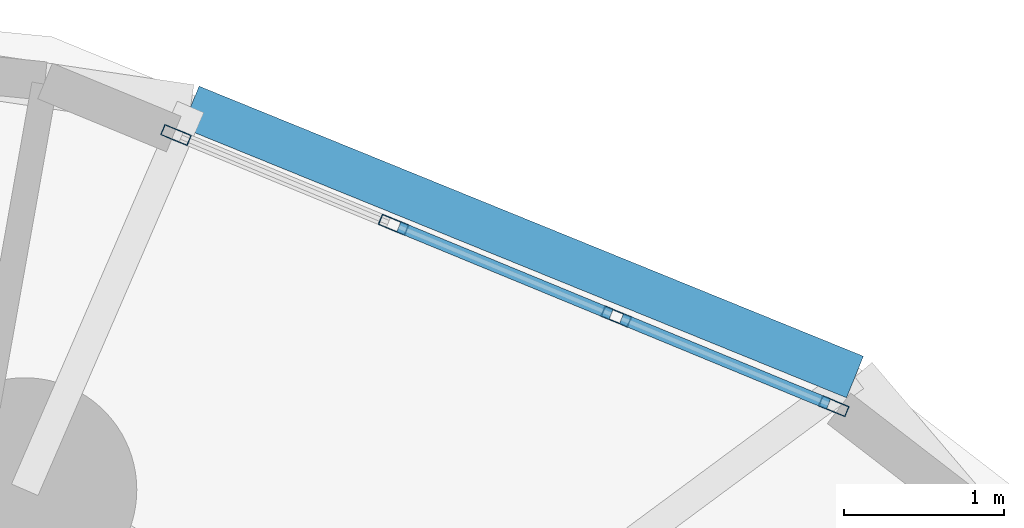
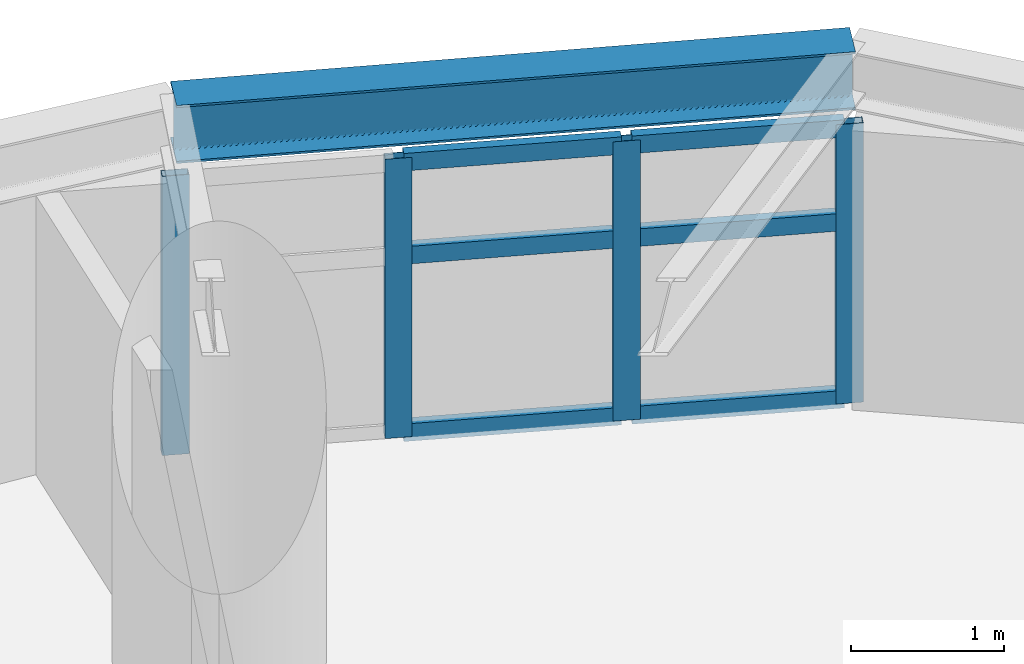
# One storey, part 7 of 19: 10 members, 1 beam, 1 element without a shape of its own.
"""IFC4 building model written with IfcOpenShell, lengths in metres."""

import ifcopenshell
import ifcopenshell.guid

model = None  # the IFC model being written
_history = None  # IfcOwnerHistory: only IFC2X3 demands one
_inside = {}  # id of a spatial element -> (the spatial element, [elements in it])
_under = {}  # id of a project, library or spatial element -> (it, [spatial elements below it])
_declared = {}  # id of a project -> (the project, [libraries it declares])
_typed = {}  # id of a type object -> (the type object, [elements of that type])
_made_of = {}  # id of a material, layer set ... -> (it, [elements and type objects made of it])


def new_model(schema):
    """Start an empty IFC model of exactly this schema.

    Asked for "IFC4X3", IfcOpenShell would pick the latest addendum, in which some entities
    have other attributes; the version numbers below select the first issue.
    IFC2X3 requires an IfcOwnerHistory on every rooted entity: one is made here for all.
    """
    global model, _history
    if schema == "IFC4X3":
        model = ifcopenshell.file(schema_version=(4, 3, 0, 0))
    else:
        model = ifcopenshell.file(schema=schema)
    _inside.clear()
    _under.clear()
    _declared.clear()
    _typed.clear()
    _made_of.clear()
    _history = None
    if model.schema == "IFC2X3":
        org = make("IfcOrganization", Name="unknown")
        user = make(
            "IfcPersonAndOrganization",
            ThePerson=make("IfcPerson", FamilyName="unknown"),
            TheOrganization=org,
        )
        app = make(
            "IfcApplication",
            ApplicationDeveloper=org,
            Version="unknown",
            ApplicationFullName="unknown",
            ApplicationIdentifier="unknown",
        )
        _history = make(
            "IfcOwnerHistory",
            OwningUser=user,
            OwningApplication=app,
            ChangeAction="ADDED",
            CreationDate=0,
        )
    return model


def make(cls, **values):
    """One entity of the class cls with the attributes given. An attribute that is None is left unset."""
    return model.create_entity(
        cls, **{name: value for name, value in values.items() if value is not None}
    )


def rooted(cls, **values):
    """An entity with a GlobalId (a new one), such as an element, a storey or a relation."""
    return make(cls, GlobalId=ifcopenshell.guid.new(), OwnerHistory=_history, **values)


def si_unit(unit_type, name, prefix=None):
    """IfcSIUnit, for example si_unit("LENGTHUNIT", "METRE", prefix="MILLI")."""
    return make("IfcSIUnit", UnitType=unit_type, Prefix=prefix, Name=name)


def assignment(units):
    """IfcUnitAssignment: the units of a project."""
    return None if units is None else make("IfcUnitAssignment", Units=units)


def point(xyz):
    """IfcCartesianPoint."""
    return None if xyz is None else make("IfcCartesianPoint", Coordinates=xyz)


def direction(xyz):
    """IfcDirection."""
    return None if xyz is None else make("IfcDirection", DirectionRatios=xyz)


def frame(location, z_axis=None, x_axis=None):
    """IfcAxis2Placement3D, a coordinate frame: its origin and axes. An axis left out is left unset."""
    return make(
        "IfcAxis2Placement3D",
        Location=point(location),
        Axis=direction(z_axis),
        RefDirection=direction(x_axis),
    )


def frame_2d(location, x_axis=None):
    """IfcAxis2Placement2D, a coordinate frame in the plane: its origin and x axis."""
    return make(
        "IfcAxis2Placement2D", Location=point(location), RefDirection=direction(x_axis)
    )


def origin():
    """The frame at (0, 0, 0) with its axes left unset."""
    return frame((0.0, 0.0, 0.0))


def origin_2d():
    """The frame at (0, 0) in the plane with its x axis left unset."""
    return frame_2d((0.0, 0.0))


def place(relative_to, where):
    """IfcLocalPlacement: puts the frame where relative to a parent placement (None: the world)."""
    return make(
        "IfcLocalPlacement", PlacementRelTo=relative_to, RelativePlacement=where
    )


def context(
    kind, dimensions, precision=None, world=None, true_north=None, identifier=None
):
    """IfcGeometricRepresentationContext, for example the 3D "Model" context."""
    return make(
        "IfcGeometricRepresentationContext",
        ContextIdentifier=identifier,
        ContextType=kind,
        CoordinateSpaceDimension=dimensions,
        Precision=precision,
        WorldCoordinateSystem=world,
        TrueNorth=true_north,
    )


def subcontext(parent, identifier, kind, view, scale=None):
    """IfcGeometricRepresentationSubContext, for example "Body" below "Model"."""
    return make(
        "IfcGeometricRepresentationSubContext",
        ContextIdentifier=identifier,
        ContextType=kind,
        ParentContext=parent,
        TargetScale=scale,
        TargetView=view,
    )


def project(units=None, contexts=None):
    """IfcProject with its units and contexts."""
    return rooted(
        "IfcProject",
        Name="project",
        RepresentationContexts=contexts,
        UnitsInContext=assignment(units),
    )


def spatial(cls, under=None, at=None, **own):
    """A site, building, storey or space (cls), placed at a placement, below another one or the project."""
    s = rooted(cls, ObjectPlacement=at, **own)
    if under is not None:
        _under.setdefault(under.id(), (under, []))[1].append(s)
    return s


def profile(cls, at=None, kind="AREA", **sizes):
    """A parametric profile (cls). Its sizes go by their IFC names, for example OverallWidth=200.0."""
    return make(cls, ProfileType=kind, Position=at, **sizes)


def hollow_rectangle(**sizes):
    """IfcRectangleHollowProfileDef."""
    return profile("IfcRectangleHollowProfileDef", **sizes)


def i_section(**sizes):
    """IfcIShapeProfileDef."""
    return profile("IfcIShapeProfileDef", **sizes)


def extrude(swept, where, along, depth):
    """IfcExtrudedAreaSolid: the profile swept, set in the frame where, extruded along a direction by depth."""
    return make(
        "IfcExtrudedAreaSolid",
        SweptArea=swept,
        Position=where,
        ExtrudedDirection=direction(along),
        Depth=depth,
    )


def shape(context_of_items, identifier, shape_type, items):
    """IfcShapeRepresentation: the items that make up one representation, for example the "Body"."""
    return make(
        "IfcShapeRepresentation",
        ContextOfItems=context_of_items,
        RepresentationIdentifier=identifier,
        RepresentationType=shape_type,
        Items=items,
    )


def material(Name=None, Category=None):
    """IfcMaterial."""
    return make("IfcMaterial", Name=Name, Category=Category)


def layer(
    of_material, thickness, ventilated=None, Name=None, Category=None, Priority=None
):
    """IfcMaterialLayer: one layer of a wall or slab, of a material (None: an air gap)."""
    return make(
        "IfcMaterialLayer",
        Material=of_material,
        LayerThickness=thickness,
        IsVentilated=ventilated,
        Name=Name,
        Category=Category,
        Priority=Priority,
    )


def layer_set(layers, Name=None):
    """IfcMaterialLayerSet."""
    return make("IfcMaterialLayerSet", MaterialLayers=layers, LayerSetName=Name)


def material_profile(
    of_material, cross_section, Name=None, Category=None, Priority=None
):
    """IfcMaterialProfile: a cross section and its material."""
    return make(
        "IfcMaterialProfile",
        Name=Name,
        Material=of_material,
        Profile=cross_section,
        Priority=Priority,
        Category=Category,
    )


def profile_set(profiles, Name=None, composite=None):
    """IfcMaterialProfileSet."""
    return make(
        "IfcMaterialProfileSet",
        Name=Name,
        MaterialProfiles=profiles,
        CompositeProfile=composite,
    )


def made_of(thing, what):
    """Note that an element or type object is made of a material, layer set ...; save() writes the relation."""
    if what is not None:
        _made_of.setdefault(what.id(), (what, []))[1].append(thing)
    return thing


def type_object(cls, material=None, **own):
    """A type object (cls), such as IfcWallType, which elements share."""
    return made_of(rooted(cls, **own), material)


def element(
    cls,
    number,
    at=None,
    inside=None,
    cuts=None,
    type_object=None,
    material=None,
    context=None,
    identifier="Body",
    shape_type=None,
    held_by="IfcProductDefinitionShape",
    body=None,
    shapes=None,
    **own,
):
    """One element of the class cls, such as IfcWall. Its Tag is "e" and its number.

    at: its placement. inside: the storey or other place that contains it. cuts: it is an
    opening in that element (IfcRelVoidsElement). A single representation is given by context,
    identifier, shape_type and body (its items); several are given by shapes. held_by: the class
    of the entity that holds the representations. save() writes the other relations.
    """
    e = rooted(cls, Tag="e%d" % number, ObjectPlacement=at, **own)
    if body is not None:
        shapes = [shape(context, identifier, shape_type, body)]
    if shapes is not None:
        e.Representation = make(held_by, Representations=shapes)
    if inside is not None:
        _inside.setdefault(inside.id(), (inside, []))[1].append(e)
    if cuts is not None:
        rooted(
            "IfcRelVoidsElement", RelatingBuildingElement=cuts, RelatedOpeningElement=e
        )
    if type_object is not None:
        _typed.setdefault(type_object.id(), (type_object, []))[1].append(e)
    return made_of(e, material)


def aggregate(whole, parts):
    """IfcRelAggregates: a whole, such as a stair, and the parts it consists of."""
    return rooted("IfcRelAggregates", RelatingObject=whole, RelatedObjects=parts)


def save(model, path):
    """Write the relations noted so far, then the file.

    IfcRelAggregates (storeys below a building ...), IfcRelContainedInSpatialStructure (elements
    in a storey), IfcRelDefinesByType, IfcRelAssociatesMaterial and IfcRelDeclares: one each for
    every whole, place, type object, material and project.
    """
    for whole, parts in _under.values():
        aggregate(whole, parts)
    for where, things in _inside.values():
        rooted(
            "IfcRelContainedInSpatialStructure",
            RelatedElements=things,
            RelatingStructure=where,
        )
    for kind, things in _typed.values():
        rooted("IfcRelDefinesByType", RelatedObjects=things, RelatingType=kind)
    for what, things in _made_of.values():
        rooted("IfcRelAssociatesMaterial", RelatedObjects=things, RelatingMaterial=what)
    for by, libraries in _declared.values():
        rooted("IfcRelDeclares", RelatingContext=by, RelatedDefinitions=libraries)
    model.write(path)


model = new_model("IFC4")

# Units and contexts
model_context = context("Model", 3, precision=1e-05, world=origin(), true_north=direction((0.0, 1.0)))
body_context = subcontext(model_context, "Body", "Model", "MODEL_VIEW")
ifc_project = project(units=[si_unit("LENGTHUNIT", "METRE"), si_unit("AREAUNIT", "SQUARE_METRE"), si_unit("VOLUMEUNIT", "CUBIC_METRE"), si_unit("PLANEANGLEUNIT", "RADIAN"), si_unit("MASSUNIT", "GRAM", prefix="KILO")], contexts=[model_context])

# Site, building, storey
site_placement = place(None, origin())
site = spatial("IfcSite", under=ifc_project, at=site_placement, CompositionType="ELEMENT")
building_placement = place(site_placement, origin())
building = spatial("IfcBuilding", under=site, at=building_placement, Name="Cununo Teusaquillo Station Towers", CompositionType="ELEMENT")
storey_placement = place(building_placement, frame((0.0, 0.0, 144.0400390625)))
storey = spatial("IfcBuildingStorey", under=building, at=storey_placement, Name="L45", CompositionType="ELEMENT", Elevation=144.0400390625)

# Beam
ifc_material_1 = material(Name="Steel ASTM A572 Grade 50", Category="steel")
ifc_material_profile_1 = material_profile(ifc_material_1, i_section(OverallWidth=0.280029296875, OverallDepth=0.462890625, WebThickness=0.0107421875, FlangeThickness=0.017333984375, FilletRadius=0.013916015625, at=origin_2d()), Name="W18X76")
ifc_profile_set_1 = profile_set([ifc_material_profile_1], Name="Steel ASTM A572 Grade 50")
beam_type = type_object("IfcBeamType", Name="BM-RING-Z2", PredefinedType="SPANDREL", material=ifc_profile_set_1)
beam_placement = place(storey_placement, frame((63.478271484375, 38.340087890625, 2.488525390625), z_axis=(-0.926380466449, 0.376588942192, 0.0), x_axis=(-0.376588942192, -0.926380466449, 0.0)))
element("IfcBeam", 1, at=beam_placement, inside=storey, type_object=beam_type, Name="L45 Tower B Spandrel Ring Beam 02", PredefinedType="SPANDREL", context=body_context, shape_type="SweptSolid", body=[
    extrude(i_section(OverallWidth=0.280029296875, OverallDepth=0.462890625, WebThickness=0.0107421875, FlangeThickness=0.017333984375, FilletRadius=0.013916015625, at=origin_2d()), origin(), (0.0, 0.0, 1.0), 4.48095703125),
])

# Curtain wall, members
ifc_material_2 = material(Name="Ceramic-fritted dark low-E double glazing", Category="glass")
ifc_layer = layer(ifc_material_2, 0.179931640625)
ifc_layer_set = layer_set([ifc_layer], Name="Ceramic-fritted dark low-E double glazing")
curtain_wall_type = type_object("IfcCurtainWallType", Name="CW-SYS-04", PredefinedType="USERDEFINED", material=ifc_layer_set)
curtain_wall_placement = place(storey_placement, origin())
curtain_wall = element("IfcCurtainWall", 2, at=curtain_wall_placement, inside=storey, type_object=curtain_wall_type, Name="L45 Tower B Facade Curtain Wall C01", ObjectType="FRITTED GLAZING", PredefinedType="USERDEFINED")
ifc_material_3 = material(Name="Anodised dark bronze aluminium EN AW-6063-T6", Category="aluminium")
ifc_material_profile_2 = material_profile(ifc_material_3, hollow_rectangle(XDim=0.070068359375, YDim=0.179931640625, WallThickness=0.00390625, at=origin_2d()), Name="CW-MULL-70x180")
ifc_profile_set_2 = profile_set([ifc_material_profile_2], Name="Anodised dark bronze aluminium EN AW-6063-T6")
member_type_1 = type_object("IfcMemberType", Name="CWM-180", PredefinedType="MULLION", material=ifc_profile_set_2)
member_1_placement = place(storey_placement, frame((59.236083984375, 39.851806640625, 0.0), z_axis=(0.0, 0.0, 1.0), x_axis=(0.381121790423, 0.924524840588, 0.0)))
member_1 = element("IfcMember", 3, at=member_1_placement, type_object=member_type_1, Name="CW-04 mullion 1", PredefinedType="MULLION", context=body_context, shape_type="SweptSolid", body=[
    extrude(hollow_rectangle(XDim=0.070068359375, YDim=0.179931640625, WallThickness=0.00390625, at=origin_2d()), origin(), (0.0, 0.0, 1.0), 2.22900390625),
])
member_2_placement = place(storey_placement, frame((60.59521484375, 39.29150390625, 0.0), z_axis=(0.0, 0.0, 1.0), x_axis=(0.381121790423, 0.924524840588, 0.0)))
member_2 = element("IfcMember", 4, at=member_2_placement, type_object=member_type_1, Name="CW-04 mullion 2", PredefinedType="MULLION", context=body_context, shape_type="SweptSolid", body=[
    extrude(hollow_rectangle(XDim=0.070068359375, YDim=0.179931640625, WallThickness=0.00390625, at=origin_2d()), origin(), (0.0, 0.0, 1.0), 2.22900390625),
])
member_3_placement = place(storey_placement, frame((61.98681640625, 38.7177734375, 0.0), z_axis=(0.0, 0.0, 1.0), x_axis=(0.381121790423, 0.924524840588, 0.0)))
member_3 = element("IfcMember", 5, at=member_3_placement, type_object=member_type_1, Name="CW-04 mullion 3", PredefinedType="MULLION", context=body_context, shape_type="SweptSolid", body=[
    extrude(hollow_rectangle(XDim=0.070068359375, YDim=0.179931640625, WallThickness=0.00390625, at=origin_2d()), origin(), (0.0, 0.0, 1.0), 2.22900390625),
])
member_4_placement = place(storey_placement, frame((63.34619140625, 38.157470703125, 0.0), z_axis=(0.0, 0.0, 1.0), x_axis=(0.381121790423, 0.924524840588, 0.0)))
member_4 = element("IfcMember", 6, at=member_4_placement, type_object=member_type_1, Name="CW-04 mullion 4", PredefinedType="MULLION", context=body_context, shape_type="SweptSolid", body=[
    extrude(hollow_rectangle(XDim=0.070068359375, YDim=0.179931640625, WallThickness=0.00390625, at=origin_2d()), origin(), (0.0, 0.0, 1.0), 2.22900390625),
])
ifc_material_4 = material(Name="Anodised dark bronze aluminium EN AW-6063-T6", Category="aluminium")
ifc_material_profile_3 = material_profile(ifc_material_4, hollow_rectangle(XDim=0.070068359375, YDim=0.139892578125, WallThickness=0.00390625, at=origin_2d()), Name="CW-TRAN-70x140")
ifc_profile_set_3 = profile_set([ifc_material_profile_3], Name="Anodised dark bronze aluminium EN AW-6063-T6")
member_type_2 = type_object("IfcMemberType", Name="CWT-140", PredefinedType="USERDEFINED", material=ifc_profile_set_3)
member_5_placement = place(storey_placement, frame((60.627685546875, 39.278076171875, 0.034912109375), z_axis=(0.92455474448, -0.381049241515, 0.0), x_axis=(0.381049241515, 0.92455474448, 0.0)))
member_5 = element("IfcMember", 7, at=member_5_placement, type_object=member_type_2, Name="CW-04 transom 2.1", ObjectType="TRANSOM", PredefinedType="USERDEFINED", context=body_context, shape_type="SweptSolid", body=[
    extrude(hollow_rectangle(XDim=0.070068359375, YDim=0.139892578125, WallThickness=0.00390625, at=origin_2d()), origin(), (0.0, 0.0, 1.0), 1.435302734375),
])
member_6_placement = place(storey_placement, frame((60.627685546875, 39.278076171875, 1.448974609375), z_axis=(0.92455474448, -0.381049241515, 0.0), x_axis=(0.381049241515, 0.92455474448, 0.0)))
member_6 = element("IfcMember", 8, at=member_6_placement, type_object=member_type_2, Name="CW-04 transom 2.2", ObjectType="TRANSOM", PredefinedType="USERDEFINED", context=body_context, shape_type="SweptSolid", body=[
    extrude(hollow_rectangle(XDim=0.070068359375, YDim=0.139892578125, WallThickness=0.00390625, at=origin_2d()), origin(), (0.0, 0.0, 1.0), 1.435302734375),
])
member_7_placement = place(storey_placement, frame((60.627685546875, 39.278076171875, 2.19384765625), z_axis=(0.92455474448, -0.381049241515, 0.0), x_axis=(0.381049241515, 0.92455474448, 0.0)))
member_7 = element("IfcMember", 9, at=member_7_placement, type_object=member_type_2, Name="CW-04 transom 2.3", ObjectType="TRANSOM", PredefinedType="USERDEFINED", context=body_context, shape_type="SweptSolid", body=[
    extrude(hollow_rectangle(XDim=0.070068359375, YDim=0.139892578125, WallThickness=0.00390625, at=origin_2d()), origin(), (0.0, 0.0, 1.0), 1.435302734375),
])
member_8_placement = place(storey_placement, frame((62.019287109375, 38.70458984375, 0.034912109375), z_axis=(0.924504665379, -0.381170727748, 0.0), x_axis=(0.381170727748, 0.924504665379, 0.0)))
member_8 = element("IfcMember", 10, at=member_8_placement, type_object=member_type_2, Name="CW-04 transom 3.1", ObjectType="TRANSOM", PredefinedType="USERDEFINED", context=body_context, shape_type="SweptSolid", body=[
    extrude(hollow_rectangle(XDim=0.070068359375, YDim=0.139892578125, WallThickness=0.00390625, at=origin_2d()), origin(), (0.0, 0.0, 1.0), 1.400146484375),
])
member_9_placement = place(storey_placement, frame((62.019287109375, 38.70458984375, 1.448974609375), z_axis=(0.924504665379, -0.381170727748, 0.0), x_axis=(0.381170727748, 0.924504665379, 0.0)))
member_9 = element("IfcMember", 11, at=member_9_placement, type_object=member_type_2, Name="CW-04 transom 3.2", ObjectType="TRANSOM", PredefinedType="USERDEFINED", context=body_context, shape_type="SweptSolid", body=[
    extrude(hollow_rectangle(XDim=0.070068359375, YDim=0.139892578125, WallThickness=0.00390625, at=origin_2d()), origin(), (0.0, 0.0, 1.0), 1.400146484375),
])
member_10_placement = place(storey_placement, frame((62.019287109375, 38.70458984375, 2.19384765625), z_axis=(0.924504665379, -0.381170727748, 0.0), x_axis=(0.381170727748, 0.924504665379, 0.0)))
member_10 = element("IfcMember", 12, at=member_10_placement, type_object=member_type_2, Name="CW-04 transom 3.3", ObjectType="TRANSOM", PredefinedType="USERDEFINED", context=body_context, shape_type="SweptSolid", body=[
    extrude(hollow_rectangle(XDim=0.070068359375, YDim=0.139892578125, WallThickness=0.00390625, at=origin_2d()), origin(), (0.0, 0.0, 1.0), 1.400146484375),
])
aggregate(curtain_wall, [member_1, member_2, member_3, member_4, member_5, member_6, member_7, member_8, member_9, member_10])

save(model, "model.ifc")
